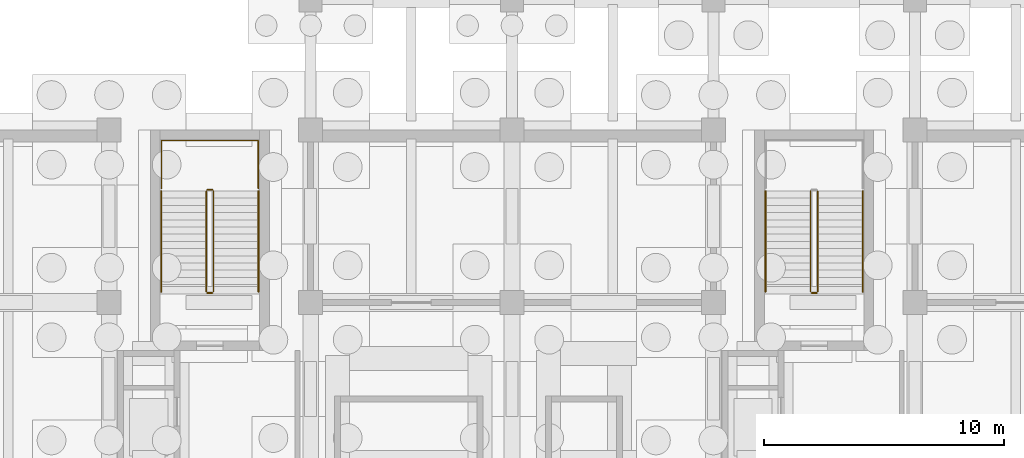
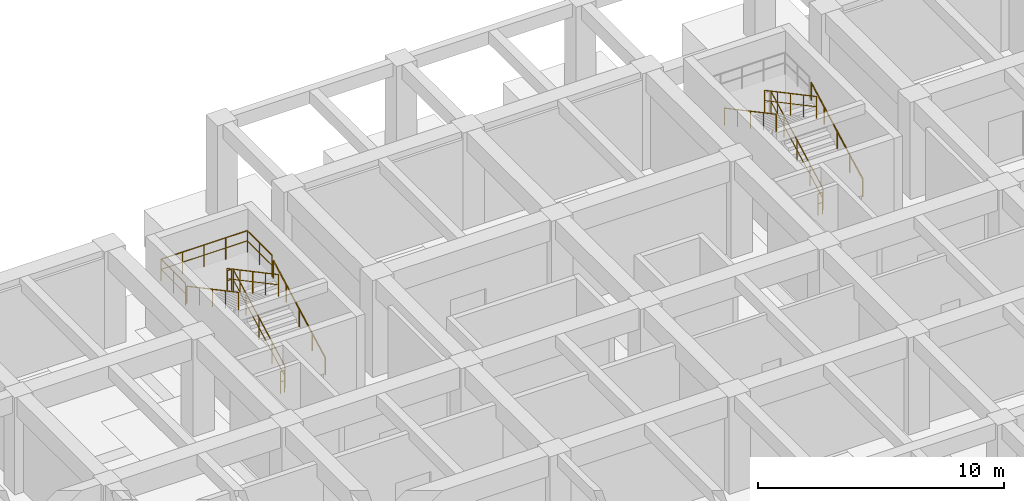
# One storey, part 24 of 26: 12 railings.
"""IFC4 building model written with IfcOpenShell, lengths in metres."""

from ifc_helpers import new_model, si_unit, direction, frame, origin, origin_2d, place, context, subcontext, project, spatial, circle, extrude, material, type_object, element, save


model = new_model("IFC4")

# Units and contexts
model_context = context("Model", 3, precision=1e-05, world=origin(), true_north=direction((0.0, 1.0)))
body_context = subcontext(model_context, "Body", "Model", "MODEL_VIEW")
ifc_project = project(units=[si_unit("LENGTHUNIT", "METRE"), si_unit("AREAUNIT", "SQUARE_METRE"), si_unit("VOLUMEUNIT", "CUBIC_METRE"), si_unit("PLANEANGLEUNIT", "RADIAN"), si_unit("MASSUNIT", "GRAM", prefix="KILO")], contexts=[model_context])

# Site, building, storey
site_placement = place(None, origin())
site = spatial("IfcSite", under=ifc_project, at=site_placement, CompositionType="ELEMENT")
building_placement = place(site_placement, origin())
building = spatial("IfcBuilding", under=site, at=building_placement, Name="Kenerak Square Central Library", CompositionType="ELEMENT")
storey_placement = place(building_placement, frame((0.0, 0.0, -4.800048828125)))
storey = spatial("IfcBuildingStorey", under=building, at=storey_placement, Name="B1", CompositionType="ELEMENT", Elevation=-4.800048828125)

# Railings
ifc_material = material(Name="Steel S355", Category="steel")
railing_type_1 = type_object("IfcRailingType", Name="Safety Guardrail GR-1100 S355", PredefinedType="GUARDRAIL", material=ifc_material)
railing_1_placement = place(storey_placement, frame((62.75, 103.64990234375, 0.16015625)))
element("IfcRailing", 1, at=railing_1_placement, inside=storey, type_object=railing_type_1, Name="B1 ST-01 stair guard 1", PredefinedType="GUARDRAIL", context=body_context, shape_type="SweptSolid", body=[
    extrude(circle(Radius=0.02392578125, at=origin_2d()), frame((0.0, 0.0, 1.076171875), z_axis=(0.0, 0.882362879185, 0.470569601054), x_axis=(-1.0, 0.0, 0.0)), (0.0, 0.0, 1.0), 4.76025390625),
    extrude(circle(Radius=0.01806640625, at=origin_2d()), frame((0.0, 0.0, 0.572021484375), z_axis=(0.0, 0.882362879185, 0.470569601054), x_axis=(-1.0, 0.0, 0.0)), (0.0, 0.0, 1.0), 4.76025390625),
    extrude(circle(Radius=0.02099609375, at=origin_2d()), origin(), (0.0, 0.0, 1.0), 1.052001953125),
    extrude(circle(Radius=0.02099609375, at=origin_2d()), frame((0.0, 1.050048828125, 0.56005859375)), (0.0, 0.0, 1.0), 1.052001953125),
    extrude(circle(Radius=0.02099609375, at=origin_2d()), frame((0.0, 2.10009765625, 1.1201171875)), (0.0, 0.0, 1.0), 1.052001953125),
    extrude(circle(Radius=0.02099609375, at=origin_2d()), frame((0.0, 3.150146484375, 1.679931640625)), (0.0, 0.0, 1.0), 1.052001953125),
    extrude(circle(Radius=0.02099609375, at=origin_2d()), frame((0.0, 4.2001953125, 2.239990234375)), (0.0, 0.0, 1.0), 1.052001953125),
])
railing_2_placement = place(storey_placement, frame((62.699951171875, 107.89990234375, 2.400146484375)))
element("IfcRailing", 2, at=railing_2_placement, inside=storey, type_object=railing_type_1, Name="B1 ST-01 stair guard 2", PredefinedType="GUARDRAIL", context=body_context, shape_type="SweptSolid", body=[
    extrude(circle(Radius=0.02392578125, at=origin_2d()), frame((0.0, 0.0, 1.076171875), z_axis=(-1.0, 0.0, 0.0), x_axis=(0.0, -1.0, 0.0)), (0.0, 0.0, 1.0), 0.199951171875),
    extrude(circle(Radius=0.01806640625, at=origin_2d()), frame((0.0, 0.0, 0.572021484375), z_axis=(-1.0, 0.0, 0.0), x_axis=(0.0, -1.0, 0.0)), (0.0, 0.0, 1.0), 0.199951171875),
    extrude(circle(Radius=0.02099609375, at=origin_2d()), origin(), (0.0, 0.0, 1.0), 1.052001953125),
    extrude(circle(Radius=0.02099609375, at=origin_2d()), frame((-0.199951171875, 0.0, 0.0)), (0.0, 0.0, 1.0), 1.052001953125),
])
railing_3_placement = place(storey_placement, frame((62.449951171875, 107.85009765625, 2.56005859375)))
element("IfcRailing", 3, at=railing_3_placement, inside=storey, type_object=railing_type_1, Name="B1 ST-01 stair guard 3", PredefinedType="GUARDRAIL", context=body_context, shape_type="SweptSolid", body=[
    extrude(circle(Radius=0.02392578125, at=origin_2d()), frame((0.0, 0.0, 1.076171875), z_axis=(0.0, -0.882362879185, 0.470569601054), x_axis=(1.0, 0.0, 0.0)), (0.0, 0.0, 1.0), 4.76025390625),
    extrude(circle(Radius=0.01806640625, at=origin_2d()), frame((0.0, 0.0, 0.572021484375), z_axis=(0.0, -0.882362879185, 0.470569601054), x_axis=(1.0, 0.0, 0.0)), (0.0, 0.0, 1.0), 4.76025390625),
    extrude(circle(Radius=0.02099609375, at=origin_2d()), origin(), (0.0, 0.0, 1.0), 1.052001953125),
    extrude(circle(Radius=0.02099609375, at=origin_2d()), frame((0.0, -1.050048828125, 0.56005859375)), (0.0, 0.0, 1.0), 1.052001953125),
    extrude(circle(Radius=0.02099609375, at=origin_2d()), frame((0.0, -2.10009765625, 1.1201171875)), (0.0, 0.0, 1.0), 1.052001953125),
    extrude(circle(Radius=0.02099609375, at=origin_2d()), frame((0.0, -3.150146484375, 1.679931640625)), (0.0, 0.0, 1.0), 1.052001953125),
    extrude(circle(Radius=0.02099609375, at=origin_2d()), frame((0.0, -4.2001953125, 2.239990234375)), (0.0, 0.0, 1.0), 1.052001953125),
])
railing_4_placement = place(storey_placement, frame((62.699951171875, 103.60009765625, 0.0)))
element("IfcRailing", 4, at=railing_4_placement, inside=storey, type_object=railing_type_1, Name="B1 ST-01 stair guard 4", PredefinedType="GUARDRAIL", context=body_context, shape_type="SweptSolid", body=[
    extrude(circle(Radius=0.02392578125, at=origin_2d()), frame((0.0, 0.0, 1.076171875), z_axis=(-1.0, 0.0, 0.0), x_axis=(0.0, -1.0, 0.0)), (0.0, 0.0, 1.0), 0.199951171875),
    extrude(circle(Radius=0.01806640625, at=origin_2d()), frame((0.0, 0.0, 0.572021484375), z_axis=(-1.0, 0.0, 0.0), x_axis=(0.0, -1.0, 0.0)), (0.0, 0.0, 1.0), 0.199951171875),
    extrude(circle(Radius=0.02099609375, at=origin_2d()), origin(), (0.0, 0.0, 1.0), 1.052001953125),
    extrude(circle(Radius=0.02099609375, at=origin_2d()), frame((-0.199951171875, 0.0, 0.0)), (0.0, 0.0, 1.0), 1.052001953125),
])
railing_5_placement = place(storey_placement, frame((60.580078125, 107.949951171875, 2.400146484375)))
element("IfcRailing", 5, at=railing_5_placement, inside=storey, type_object=railing_type_1, Name="Stair Half-Landing Guard ST-01 B1", PredefinedType="GUARDRAIL", context=body_context, shape_type="SweptSolid", body=[
    extrude(circle(Radius=0.02392578125, at=origin_2d()), frame((0.0, 0.0, 1.076171875), z_axis=(0.0, 1.0, 0.0), x_axis=(-1.0, 0.0, 0.0)), (0.0, 0.0, 1.0), 2.0),
    extrude(circle(Radius=0.01806640625, at=origin_2d()), frame((0.0, 0.0, 0.572021484375), z_axis=(0.0, 1.0, 0.0), x_axis=(-1.0, 0.0, 0.0)), (0.0, 0.0, 1.0), 2.0),
    extrude(circle(Radius=0.02392578125, at=origin_2d()), frame((0.0, 2.0, 1.076171875), z_axis=(1.0, 0.0, 0.0), x_axis=(0.0, 1.0, 0.0)), (0.0, 0.0, 1.0), 4.0400390625),
    extrude(circle(Radius=0.01806640625, at=origin_2d()), frame((0.0, 2.0, 0.572021484375), z_axis=(1.0, 0.0, 0.0), x_axis=(0.0, 1.0, 0.0)), (0.0, 0.0, 1.0), 4.0400390625),
    extrude(circle(Radius=0.02392578125, at=origin_2d()), frame((4.0400390625, 2.0, 1.076171875), z_axis=(0.0, -1.0, 0.0), x_axis=(1.0, 0.0, 0.0)), (0.0, 0.0, 1.0), 2.0),
    extrude(circle(Radius=0.01806640625, at=origin_2d()), frame((4.0400390625, 2.0, 0.572021484375), z_axis=(0.0, -1.0, 0.0), x_axis=(1.0, 0.0, 0.0)), (0.0, 0.0, 1.0), 2.0),
    extrude(circle(Radius=0.02099609375, at=origin_2d()), origin(), (0.0, 0.0, 1.0), 1.052001953125),
    extrude(circle(Radius=0.02099609375, at=origin_2d()), frame((0.0, 1.0, 0.0)), (0.0, 0.0, 1.0), 1.052001953125),
    extrude(circle(Radius=0.02099609375, at=origin_2d()), frame((0.0, 2.0, 0.0)), (0.0, 0.0, 1.0), 1.052001953125),
    extrude(circle(Radius=0.02099609375, at=origin_2d()), frame((1.010009765625, 2.0, 0.0)), (0.0, 0.0, 1.0), 1.052001953125),
    extrude(circle(Radius=0.02099609375, at=origin_2d()), frame((2.02001953125, 2.0, 0.0)), (0.0, 0.0, 1.0), 1.052001953125),
    extrude(circle(Radius=0.02099609375, at=origin_2d()), frame((3.030029296875, 2.0, 0.0)), (0.0, 0.0, 1.0), 1.052001953125),
    extrude(circle(Radius=0.02099609375, at=origin_2d()), frame((4.0400390625, 2.0, 0.0)), (0.0, 0.0, 1.0), 1.052001953125),
    extrude(circle(Radius=0.02099609375, at=origin_2d()), frame((4.0400390625, 1.0, 0.0)), (0.0, 0.0, 1.0), 1.052001953125),
    extrude(circle(Radius=0.02099609375, at=origin_2d()), frame((4.0400390625, 0.0, 0.0)), (0.0, 0.0, 1.0), 1.052001953125),
])
railing_6_placement = place(storey_placement, frame((87.949951171875, 103.64990234375, 0.16015625)))
element("IfcRailing", 6, at=railing_6_placement, inside=storey, type_object=railing_type_1, Name="B1 ST-02 stair guard 1", PredefinedType="GUARDRAIL", context=body_context, shape_type="SweptSolid", body=[
    extrude(circle(Radius=0.02392578125, at=origin_2d()), frame((0.0, 0.0, 1.076171875), z_axis=(0.0, 0.882362879185, 0.470569601054), x_axis=(-1.0, 0.0, 0.0)), (0.0, 0.0, 1.0), 4.76025390625),
    extrude(circle(Radius=0.01806640625, at=origin_2d()), frame((0.0, 0.0, 0.572021484375), z_axis=(0.0, 0.882362879185, 0.470569601054), x_axis=(-1.0, 0.0, 0.0)), (0.0, 0.0, 1.0), 4.76025390625),
    extrude(circle(Radius=0.02099609375, at=origin_2d()), origin(), (0.0, 0.0, 1.0), 1.052001953125),
    extrude(circle(Radius=0.02099609375, at=origin_2d()), frame((0.0, 1.050048828125, 0.56005859375)), (0.0, 0.0, 1.0), 1.052001953125),
    extrude(circle(Radius=0.02099609375, at=origin_2d()), frame((0.0, 2.10009765625, 1.1201171875)), (0.0, 0.0, 1.0), 1.052001953125),
    extrude(circle(Radius=0.02099609375, at=origin_2d()), frame((0.0, 3.150146484375, 1.679931640625)), (0.0, 0.0, 1.0), 1.052001953125),
    extrude(circle(Radius=0.02099609375, at=origin_2d()), frame((0.0, 4.2001953125, 2.239990234375)), (0.0, 0.0, 1.0), 1.052001953125),
])
railing_7_placement = place(storey_placement, frame((87.64990234375, 107.85009765625, 2.56005859375)))
element("IfcRailing", 7, at=railing_7_placement, inside=storey, type_object=railing_type_1, Name="B1 ST-02 stair guard 3", PredefinedType="GUARDRAIL", context=body_context, shape_type="SweptSolid", body=[
    extrude(circle(Radius=0.02392578125, at=origin_2d()), frame((0.0, 0.0, 1.076171875), z_axis=(0.0, -0.882362879185, 0.470569601054), x_axis=(1.0, 0.0, 0.0)), (0.0, 0.0, 1.0), 4.76025390625),
    extrude(circle(Radius=0.01806640625, at=origin_2d()), frame((0.0, 0.0, 0.572021484375), z_axis=(0.0, -0.882362879185, 0.470569601054), x_axis=(1.0, 0.0, 0.0)), (0.0, 0.0, 1.0), 4.76025390625),
    extrude(circle(Radius=0.02099609375, at=origin_2d()), origin(), (0.0, 0.0, 1.0), 1.052001953125),
    extrude(circle(Radius=0.02099609375, at=origin_2d()), frame((0.0, -1.050048828125, 0.56005859375)), (0.0, 0.0, 1.0), 1.052001953125),
    extrude(circle(Radius=0.02099609375, at=origin_2d()), frame((0.0, -2.10009765625, 1.1201171875)), (0.0, 0.0, 1.0), 1.052001953125),
    extrude(circle(Radius=0.02099609375, at=origin_2d()), frame((0.0, -3.150146484375, 1.679931640625)), (0.0, 0.0, 1.0), 1.052001953125),
    extrude(circle(Radius=0.02099609375, at=origin_2d()), frame((0.0, -4.2001953125, 2.239990234375)), (0.0, 0.0, 1.0), 1.052001953125),
])
railing_8_placement = place(storey_placement, frame((87.89990234375, 103.60009765625, 0.0)))
element("IfcRailing", 8, at=railing_8_placement, inside=storey, type_object=railing_type_1, Name="B1 ST-02 stair guard 4", PredefinedType="GUARDRAIL", context=body_context, shape_type="SweptSolid", body=[
    extrude(circle(Radius=0.02392578125, at=origin_2d()), frame((0.0, 0.0, 1.076171875), z_axis=(-1.0, 0.0, 0.0), x_axis=(0.0, -1.0, 0.0)), (0.0, 0.0, 1.0), 0.199951171875),
    extrude(circle(Radius=0.01806640625, at=origin_2d()), frame((0.0, 0.0, 0.572021484375), z_axis=(-1.0, 0.0, 0.0), x_axis=(0.0, -1.0, 0.0)), (0.0, 0.0, 1.0), 0.199951171875),
    extrude(circle(Radius=0.02099609375, at=origin_2d()), origin(), (0.0, 0.0, 1.0), 1.052001953125),
    extrude(circle(Radius=0.02099609375, at=origin_2d()), frame((-0.199951171875, 0.0, 0.0)), (0.0, 0.0, 1.0), 1.052001953125),
])
railing_type_2 = type_object("IfcRailingType", Name="Stair Handrail HR-880 S355", PredefinedType="HANDRAIL", material=ifc_material)
railing_9_placement = place(storey_placement, frame((64.6298828125, 103.64990234375, 0.16015625)))
element("IfcRailing", 9, at=railing_9_placement, inside=storey, type_object=railing_type_2, Name="B1 ST-01 stair handrail 1", PredefinedType="HANDRAIL", context=body_context, shape_type="SweptSolid", body=[
    extrude(circle(Radius=0.02392578125, at=origin_2d()), frame((0.0, 0.0, 0.85595703125), z_axis=(0.0, 0.882362879185, 0.470569601054), x_axis=(-1.0, 0.0, 0.0)), (0.0, 0.0, 1.0), 4.76025390625),
    extrude(circle(Radius=0.02099609375, at=origin_2d()), origin(), (0.0, 0.0, 1.0), 0.831787109375),
    extrude(circle(Radius=0.02099609375, at=origin_2d()), frame((0.0, 1.050048828125, 0.56005859375)), (0.0, 0.0, 1.0), 0.831787109375),
    extrude(circle(Radius=0.02099609375, at=origin_2d()), frame((0.0, 2.10009765625, 1.1201171875)), (0.0, 0.0, 1.0), 0.831787109375),
    extrude(circle(Radius=0.02099609375, at=origin_2d()), frame((0.0, 3.150146484375, 1.679931640625)), (0.0, 0.0, 1.0), 0.831787109375),
    extrude(circle(Radius=0.02099609375, at=origin_2d()), frame((0.0, 4.2001953125, 2.239990234375)), (0.0, 0.0, 1.0), 0.831787109375),
])
railing_10_placement = place(storey_placement, frame((60.570068359375, 107.85009765625, 2.56005859375)))
element("IfcRailing", 10, at=railing_10_placement, inside=storey, type_object=railing_type_2, Name="B1 ST-01 stair handrail 2", PredefinedType="HANDRAIL", context=body_context, shape_type="SweptSolid", body=[
    extrude(circle(Radius=0.02392578125, at=origin_2d()), frame((0.0, 0.0, 0.85595703125), z_axis=(0.0, -0.882362879185, 0.470569601054), x_axis=(1.0, 0.0, 0.0)), (0.0, 0.0, 1.0), 4.76025390625),
    extrude(circle(Radius=0.02099609375, at=origin_2d()), origin(), (0.0, 0.0, 1.0), 0.831787109375),
    extrude(circle(Radius=0.02099609375, at=origin_2d()), frame((0.0, -1.050048828125, 0.56005859375)), (0.0, 0.0, 1.0), 0.831787109375),
    extrude(circle(Radius=0.02099609375, at=origin_2d()), frame((0.0, -2.10009765625, 1.1201171875)), (0.0, 0.0, 1.0), 0.831787109375),
    extrude(circle(Radius=0.02099609375, at=origin_2d()), frame((0.0, -3.150146484375, 1.679931640625)), (0.0, 0.0, 1.0), 0.831787109375),
    extrude(circle(Radius=0.02099609375, at=origin_2d()), frame((0.0, -4.2001953125, 2.239990234375)), (0.0, 0.0, 1.0), 0.831787109375),
])
railing_11_placement = place(storey_placement, frame((89.830078125, 103.64990234375, 0.16015625)))
element("IfcRailing", 11, at=railing_11_placement, inside=storey, type_object=railing_type_2, Name="B1 ST-02 stair handrail 1", PredefinedType="HANDRAIL", context=body_context, shape_type="SweptSolid", body=[
    extrude(circle(Radius=0.02392578125, at=origin_2d()), frame((0.0, 0.0, 0.85595703125), z_axis=(0.0, 0.882362879185, 0.470569601054), x_axis=(-1.0, 0.0, 0.0)), (0.0, 0.0, 1.0), 4.76025390625),
    extrude(circle(Radius=0.02099609375, at=origin_2d()), origin(), (0.0, 0.0, 1.0), 0.831787109375),
    extrude(circle(Radius=0.02099609375, at=origin_2d()), frame((0.0, 1.050048828125, 0.56005859375)), (0.0, 0.0, 1.0), 0.831787109375),
    extrude(circle(Radius=0.02099609375, at=origin_2d()), frame((0.0, 2.10009765625, 1.1201171875)), (0.0, 0.0, 1.0), 0.831787109375),
    extrude(circle(Radius=0.02099609375, at=origin_2d()), frame((0.0, 3.150146484375, 1.679931640625)), (0.0, 0.0, 1.0), 0.831787109375),
    extrude(circle(Radius=0.02099609375, at=origin_2d()), frame((0.0, 4.2001953125, 2.239990234375)), (0.0, 0.0, 1.0), 0.831787109375),
])
railing_12_placement = place(storey_placement, frame((85.77001953125, 107.85009765625, 2.56005859375)))
element("IfcRailing", 12, at=railing_12_placement, inside=storey, type_object=railing_type_2, Name="B1 ST-02 stair handrail 2", PredefinedType="HANDRAIL", context=body_context, shape_type="SweptSolid", body=[
    extrude(circle(Radius=0.02392578125, at=origin_2d()), frame((0.0, 0.0, 0.85595703125), z_axis=(0.0, -0.882362879185, 0.470569601054), x_axis=(1.0, 0.0, 0.0)), (0.0, 0.0, 1.0), 4.76025390625),
    extrude(circle(Radius=0.02099609375, at=origin_2d()), origin(), (0.0, 0.0, 1.0), 0.831787109375),
    extrude(circle(Radius=0.02099609375, at=origin_2d()), frame((0.0, -1.050048828125, 0.56005859375)), (0.0, 0.0, 1.0), 0.831787109375),
    extrude(circle(Radius=0.02099609375, at=origin_2d()), frame((0.0, -2.10009765625, 1.1201171875)), (0.0, 0.0, 1.0), 0.831787109375),
    extrude(circle(Radius=0.02099609375, at=origin_2d()), frame((0.0, -3.150146484375, 1.679931640625)), (0.0, 0.0, 1.0), 0.831787109375),
    extrude(circle(Radius=0.02099609375, at=origin_2d()), frame((0.0, -4.2001953125, 2.239990234375)), (0.0, 0.0, 1.0), 0.831787109375),
])

save(model, "model.ifc")
